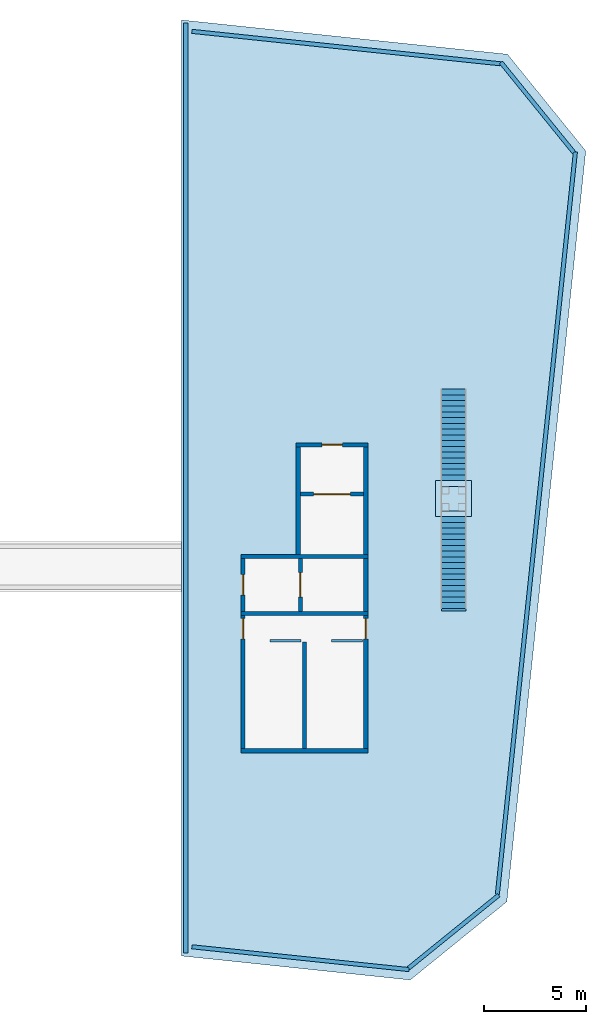
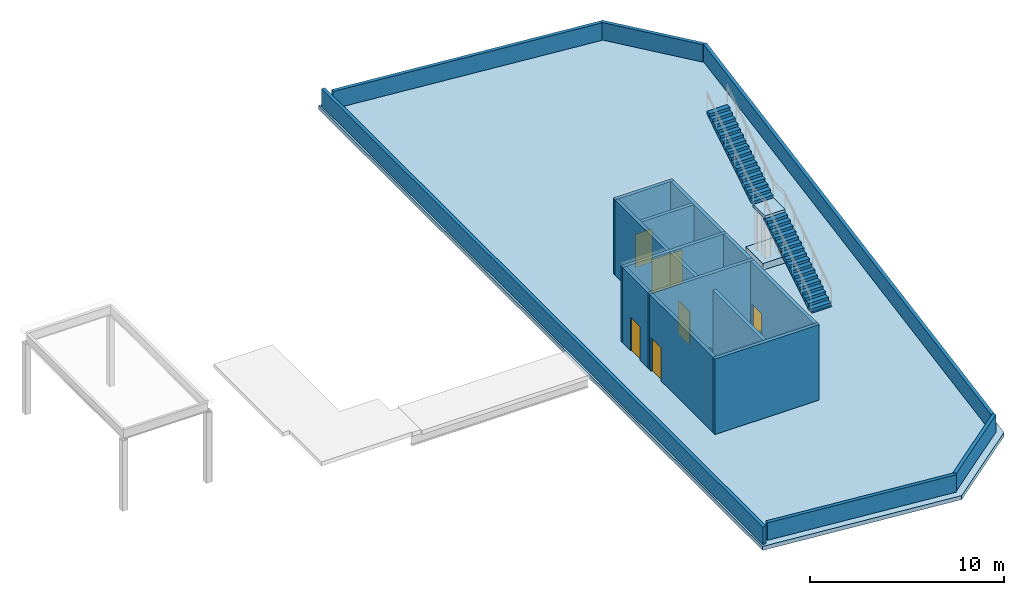
# One storey, part 2 of 3: 21 walls, 6 doors, 3 slabs, 2 stair flights, 6 openings, 1 element without a shape of its own.
"""IFC4 building model written with IfcOpenShell, lengths in metres."""

from ifc_helpers import new_model, si_unit, direction, frame, frame_2d, origin, place, context, subcontext, project, spatial, polyline, rectangle, outline, extrude, material, layer, layer_set, type_object, element, fill, aggregate, save


model = new_model("IFC4")

# Units and contexts
model_context = context("Model", 3, precision=1e-05, world=origin(), true_north=direction((0.0, 1.0)))
body_context = subcontext(model_context, "Body", "Model", "MODEL_VIEW")
ifc_project = project(units=[si_unit("LENGTHUNIT", "METRE"), si_unit("AREAUNIT", "SQUARE_METRE"), si_unit("VOLUMEUNIT", "CUBIC_METRE"), si_unit("PLANEANGLEUNIT", "RADIAN"), si_unit("MASSUNIT", "GRAM", prefix="KILO")], contexts=[model_context])

# Site, building, storey
site_placement = place(None, origin())
site = spatial("IfcSite", under=ifc_project, at=site_placement, CompositionType="ELEMENT")
building_placement = place(site_placement, origin())
building = spatial("IfcBuilding", under=site, at=building_placement, Name="Millrace Tower", CompositionType="ELEMENT")
storey_placement = place(building_placement, frame((0.0, 0.0, 362.10009765625)))
storey = spatial("IfcBuildingStorey", under=building, at=storey_placement, Name="ROOF-1", CompositionType="ELEMENT", Elevation=362.10009765625)

# Slabs
ifc_material_1 = material(Name="Steel ASTM A36", Category="steel")
ifc_layer_1 = layer(ifc_material_1, 0.199951171875)
ifc_layer_set_1 = layer_set([ifc_layer_1], Name="Steel ASTM A36")
slab_type_1 = type_object("IfcSlabType", Name="Antenna deck stair landing", PredefinedType="LANDING", material=ifc_layer_set_1)
slab_1_placement = place(storey_placement, frame((0.0, 0.0, 2.949951171875)))
element("IfcSlab", 1, at=slab_1_placement, inside=storey, type_object=slab_type_1, Name="Antenna deck stair landing", PredefinedType="LANDING", context=body_context, shape_type="SweptSolid", body=[
    extrude(outline(polyline([(17.693115234375, 2.72216796875), (18.89306640625, 2.72216796875), (18.89306640625, 3.922119140625), (17.693115234375, 3.922119140625), (17.693115234375, 2.72216796875)])), origin(), (0.0, 0.0, 1.0), 0.199951171875),
])
ifc_material_2 = material(Name="Concrete C40", Category="concrete")
ifc_layer_2 = layer(ifc_material_2, 0.419921875)
ifc_layer_set_2 = layer_set([ifc_layer_2], Name="Concrete C40")
slab_type_2 = type_object("IfcSlabType", Name="Antenna deck stair plinth 420 mm", PredefinedType="FLOOR", material=ifc_layer_set_2)
placement = place(storey_placement, origin())
element("IfcSlab", 2, at=placement, inside=storey, type_object=slab_type_2, Name="Antenna deck stair plinth", PredefinedType="FLOOR", context=body_context, shape_type="SweptSolid", body=[
    extrude(outline(polyline([(17.4150390625, 2.444091796875), (19.171142578125, 2.444091796875), (19.171142578125, 4.2001953125), (17.4150390625, 4.2001953125), (17.4150390625, 2.444091796875)])), origin(), (0.0, 0.0, 1.0), 0.419921875),
])
ifc_material_3 = material(Name="Concrete C35 on steel deck", Category="concrete")
ifc_layer_3 = layer(ifc_material_3, 0.25)
ifc_layer_set_3 = layer_set([ifc_layer_3], Name="Concrete C35 on steel deck")
slab_type_3 = type_object("IfcSlabType", Name="Composite roof slab 250 mm", PredefinedType="ROOF", material=ifc_layer_set_3)
slab_3_placement = place(storey_placement, frame((0.0, 0.0, -0.25)))
element("IfcSlab", 3, at=slab_3_placement, inside=storey, type_object=slab_type_3, Name="SL-E-L82-RE", PredefinedType="ROOF", context=body_context, shape_type="SweptSolid", body=[
    extrude(outline(polyline([(5.0, 26.720703125), (5.0, -19.02978515625), (16.1708984375, -20.203857421875), (20.896728515625, -16.376953125), (24.75390625, 20.32080078125), (20.927001953125, 25.046875), (5.0, 26.720703125)]), holes=[polyline([(10.800048828125, 0.60009765625), (13.89990234375, 0.60009765625), (13.89990234375, 3.449951171875), (10.800048828125, 3.449951171875), (10.800048828125, 0.60009765625)]), polyline([(10.89990234375, -2.179931640625), (13.89990234375, -2.179931640625), (13.89990234375, 0.39990234375), (10.89990234375, 0.39990234375), (10.89990234375, -2.179931640625)]), polyline([(11.10009765625, -8.89990234375), (13.89990234375, -8.89990234375), (13.89990234375, -3.679931640625), (11.10009765625, -3.679931640625), (11.10009765625, -8.89990234375)]), polyline([(8.10009765625, -8.89990234375), (10.89990234375, -8.89990234375), (10.89990234375, -3.679931640625), (8.10009765625, -3.679931640625), (8.10009765625, -8.89990234375)])]), origin(), (0.0, 0.0, 1.0), 0.25),
])

# Walls
ifc_material_4 = material(Name="Concrete C40", Category="concrete")
ifc_layer_4 = layer(ifc_material_4, 0.199951171875)
ifc_layer_set_4 = layer_set([ifc_layer_4], Name="Concrete C40")
wall_type_1 = type_object("IfcWallType", Name="Roof parapet 1100", PredefinedType="PARAPET", material=ifc_layer_set_4)
wall_1_placement = place(storey_placement, frame((5.199951171875, 26.580810546875, 0.0), z_axis=(0.0, 0.0, 1.0), x_axis=(0.0, -1.0, 0.0)))
element("IfcWall", 4, at=wall_1_placement, inside=storey, type_object=wall_type_1, Name="Slot edge parapet E 1", PredefinedType="PARAPET", context=body_context, shape_type="SweptSolid", body=[
    extrude(rectangle(XDim=45.470703125, YDim=0.199951171875, at=frame_2d((22.7353515625, 0.0))), origin(), (0.0, 0.0, 1.0), 1.099853515625),
])
wall_2_placement = place(storey_placement, frame((5.5, -18.57958984375, 0.0), z_axis=(0.0, 0.0, 1.0), x_axis=(0.994520855833, -0.104538353309, 0.0)))
element("IfcWall", 5, at=wall_2_placement, inside=storey, type_object=wall_type_1, Name="Roof parapet SL-E-L82-RE 1", PredefinedType="PARAPET", context=body_context, shape_type="SweptSolid", body=[
    extrude(rectangle(XDim=10.67529296875, YDim=0.199951171875, at=frame_2d((5.337646484375, 0.0))), origin(), (0.0, 0.0, 1.0), 1.099853515625),
])
wall_3_placement = place(storey_placement, frame((16.094970703125, -19.6220703125, 0.0), z_axis=(0.0, 0.0, 1.0), x_axis=(0.777139517733, 0.629328348303, 0.0)))
element("IfcWall", 6, at=wall_3_placement, inside=storey, type_object=wall_type_1, Name="Roof parapet SL-E-L82-RE 2", PredefinedType="PARAPET", context=body_context, shape_type="SweptSolid", body=[
    extrude(rectangle(XDim=5.6669921875, YDim=0.199951171875, at=frame_2d((2.83349609375, 0.0))), origin(), (0.0, 0.0, 1.0), 1.099853515625),
])
wall_4_placement = place(storey_placement, frame((20.431640625, -16.019287109375, 0.0), z_axis=(0.0, 0.0, 1.0), x_axis=(0.104526297931, 0.994522122952, 0.0)))
element("IfcWall", 7, at=wall_4_placement, inside=storey, type_object=wall_type_1, Name="Roof parapet SL-E-L82-RE 3", PredefinedType="PARAPET", context=body_context, shape_type="SweptSolid", body=[
    extrude(rectangle(XDim=36.48583984375, YDim=0.199951171875, at=frame_2d((18.242919921875, 0.0))), origin(), (0.0, 0.0, 1.0), 1.099853515625),
])
wall_5_placement = place(storey_placement, frame((24.172119140625, 20.244873046875, 0.0), z_axis=(0.0, 0.0, 1.0), x_axis=(-0.629328348303, 0.777139517733, 0.0)))
element("IfcWall", 8, at=wall_5_placement, inside=storey, type_object=wall_type_1, Name="Roof parapet SL-E-L82-RE 4", PredefinedType="PARAPET", context=body_context, shape_type="SweptSolid", body=[
    extrude(rectangle(XDim=5.6669921875, YDim=0.199951171875, at=frame_2d((2.83349609375, 0.0))), origin(), (0.0, 0.0, 1.0), 1.099853515625),
])
wall_6_placement = place(storey_placement, frame((20.5693359375, 24.58154296875, 0.0), z_axis=(0.0, 0.0, 1.0), x_axis=(-0.994520980487, 0.104537167413, 0.0)))
element("IfcWall", 9, at=wall_6_placement, inside=storey, type_object=wall_type_1, Name="Roof parapet SL-E-L82-RE 5", PredefinedType="PARAPET", context=body_context, shape_type="SweptSolid", body=[
    extrude(rectangle(XDim=15.15234375, YDim=0.199951171875, at=frame_2d((7.576171875, 0.0))), origin(), (0.0, 0.0, 1.0), 1.099853515625),
])
ifc_material_5 = material(Name="Concrete C40", Category="concrete")
ifc_layer_5 = layer(ifc_material_5, 0.199951171875)
ifc_layer_set_5 = layer_set([ifc_layer_5], Name="Concrete C40")
wall_type_2 = type_object("IfcWallType", Name="Stair enclosure wall 200 Concrete C40", PredefinedType="SHEAR", material=ifc_layer_set_5)
for number, where, z_axis, x_axis, name in (
    (10, (14.10009765625, -9.0, 0.0), (0.0, 0.0, 1.0), (-1.0, 0.0, 0.0), "Stair head house wall E ROOF-1"),
    (11, (14.10009765625, -2.280029296875, 0.0), (0.0, 0.0, 1.0), (-1.0, 0.0, 0.0), "Stair head house wall E ROOF-1"),
):
    element("IfcWall", number, at=place(storey_placement, frame(where, z_axis=z_axis, x_axis=x_axis)), inside=storey, type_object=wall_type_2, Name=name, PredefinedType="SHEAR", context=body_context, shape_type="SweptSolid", body=[
        extrude(rectangle(XDim=6.2001953125, YDim=0.199951171875, at=frame_2d((3.10009765625, 0.0))), origin(), (0.0, 0.0, 1.0), 4.75),
    ])

# Wall, opening, door
wall_7_placement = place(storey_placement, frame((14.0, -2.3798828125, 0.0), z_axis=(0.0, 0.0, 1.0), x_axis=(0.0, -1.0, 0.0)))
wall_7 = element("IfcWall", 12, at=wall_7_placement, inside=storey, type_object=wall_type_2, Name="Stair head house wall E ROOF-1", PredefinedType="SHEAR", context=body_context, shape_type="SweptSolid", body=[
    extrude(rectangle(XDim=6.52001953125, YDim=0.199951171875, at=frame_2d((3.260009765625, 0.0))), origin(), (0.0, 0.0, 1.0), 4.75),
])
opening_1_placement = place(wall_7_placement, frame((0.14990234375, 0.0, 0.0)))
opening_1 = element("IfcOpeningElement", 13, at=opening_1_placement, cuts=wall_7, Name="Opening R1-C001", PredefinedType="OPENING", context=body_context, shape_type="SweptSolid", body=[
    extrude(rectangle(XDim=1.0, YDim=2.10009765625, at=frame_2d((0.5, 1.050048828125))), frame((0.0, 0.10986328125, 0.0), z_axis=(0.0, -1.0, 0.0), x_axis=(1.0, 0.0, 0.0)), (0.0, 0.0, 1.0), 0.219970703125),
])
ifc_material_6 = material(Name="Steel door, fire-rated", Category="steel")
door_type_1 = type_object("IfcDoorType", Name="Stair door 1000 x 2100", OperationType="SINGLE_SWING_LEFT", PredefinedType="DOOR", material=ifc_material_6)
door_1_placement = place(opening_1_placement, origin())
door_1 = element("IfcDoor", 14, at=door_1_placement, inside=storey, type_object=door_type_1, Name="Stair door R1-C001", OperationType="SINGLE_SWING_LEFT", OverallHeight=2.10009765625, OverallWidth=1.0, PredefinedType="DOOR", context=body_context, shape_type="SweptSolid", body=[
    extrude(rectangle(XDim=1.0, YDim=2.10009765625, at=frame_2d((0.5, 1.050048828125))), frame((0.0, 0.02490234375, 0.0), z_axis=(0.0, -1.0, 0.0), x_axis=(1.0, 0.0, 0.0)), (0.0, 0.0, 1.0), 0.050048828125),
])
fill(opening_1, door_1)

# Wall
wall_8_placement = place(storey_placement, frame((11.0, -3.679931640625, 0.0), z_axis=(0.0, 0.0, 1.0), x_axis=(0.0, -1.0, 0.0)))
element("IfcWall", 15, at=wall_8_placement, inside=storey, type_object=wall_type_2, Name="Stair head house wall E ROOF-1", PredefinedType="SHEAR", context=body_context, shape_type="SweptSolid", body=[
    extrude(rectangle(XDim=5.219970703125, YDim=0.199951171875, at=frame_2d((2.60986328125, 0.0))), origin(), (0.0, 0.0, 1.0), 4.75),
])

# Wall, opening, door
wall_9_placement = place(storey_placement, frame((8.0, -2.3798828125, 0.0), z_axis=(0.0, 0.0, 1.0), x_axis=(0.0, -1.0, 0.0)))
wall_9 = element("IfcWall", 16, at=wall_9_placement, inside=storey, type_object=wall_type_2, Name="Stair head house wall E ROOF-1", PredefinedType="SHEAR", context=body_context, shape_type="SweptSolid", body=[
    extrude(rectangle(XDim=6.52001953125, YDim=0.199951171875, at=frame_2d((3.260009765625, 0.0))), origin(), (0.0, 0.0, 1.0), 4.75),
])
opening_2_placement = place(wall_9_placement, frame((0.14990234375, 0.0, 0.0)))
opening_2 = element("IfcOpeningElement", 17, at=opening_2_placement, cuts=wall_9, Name="Opening R1-C002", PredefinedType="OPENING", context=body_context, shape_type="SweptSolid", body=[
    extrude(rectangle(XDim=1.0, YDim=2.10009765625, at=frame_2d((0.5, 1.050048828125))), frame((0.0, 0.10986328125, 0.0), z_axis=(0.0, -1.0, 0.0), x_axis=(1.0, 0.0, 0.0)), (0.0, 0.0, 1.0), 0.219970703125),
])
door_2_placement = place(opening_2_placement, frame((1.0, 0.0, 0.0), z_axis=(0.0, 0.0, 1.0), x_axis=(-1.0, 0.0, 0.0)))
door_2 = element("IfcDoor", 18, at=door_2_placement, inside=storey, type_object=door_type_1, Name="Stair door R1-C002", OperationType="SINGLE_SWING_RIGHT", OverallHeight=2.10009765625, OverallWidth=1.0, PredefinedType="DOOR", context=body_context, shape_type="SweptSolid", body=[
    extrude(rectangle(XDim=1.0, YDim=2.10009765625, at=frame_2d((0.5, 1.050048828125))), frame((0.0, 0.02490234375, 0.0), z_axis=(0.0, -1.0, 0.0), x_axis=(1.0, 0.0, 0.0)), (0.0, 0.0, 1.0), 0.050048828125),
])
fill(opening_2, door_2)

# Wall
wall_10_placement = place(storey_placement, frame((14.10009765625, 0.5, 0.0), z_axis=(0.0, 0.0, 1.0), x_axis=(-1.0, 0.0, 0.0)))
element("IfcWall", 19, at=wall_10_placement, inside=storey, type_object=wall_type_2, Name="Stair head house wall E ROOF-1", PredefinedType="SHEAR", context=body_context, shape_type="SweptSolid", body=[
    extrude(rectangle(XDim=6.2001953125, YDim=0.199951171875, at=frame_2d((3.10009765625, 0.0))), origin(), (0.0, 0.0, 1.0), 4.75),
])

# Wall, opening, door
wall_11_placement = place(storey_placement, frame((8.0, -2.179931640625, 0.0), z_axis=(0.0, 0.0, 1.0), x_axis=(0.0, 1.0, 0.0)))
wall_11 = element("IfcWall", 20, at=wall_11_placement, inside=storey, type_object=wall_type_2, Name="Stair head house wall E ROOF-1", PredefinedType="SHEAR", context=body_context, shape_type="SweptSolid", body=[
    extrude(rectangle(XDim=2.579833984375, YDim=0.199951171875, at=frame_2d((1.2900390625, 0.0))), origin(), (0.0, 0.0, 1.0), 4.75),
])
opening_3_placement = place(wall_11_placement, frame((0.7900390625, 0.0, 0.0)))
opening_3 = element("IfcOpeningElement", 21, at=opening_3_placement, cuts=wall_11, Name="Opening R1-C003", PredefinedType="OPENING", context=body_context, shape_type="SweptSolid", body=[
    extrude(rectangle(XDim=1.0, YDim=2.10009765625, at=frame_2d((0.5, 1.050048828125))), frame((0.0, 0.10986328125, 0.0), z_axis=(0.0, -1.0, 0.0), x_axis=(1.0, 0.0, 0.0)), (0.0, 0.0, 1.0), 0.219970703125),
])
ifc_material_7 = material(Name="Steel door, fire-rated", Category="steel")
door_type_2 = type_object("IfcDoorType", Name="Lobby door 1000 x 2100", OperationType="SINGLE_SWING_LEFT", PredefinedType="DOOR", material=ifc_material_7)
door_3_placement = place(opening_3_placement, origin())
door_3 = element("IfcDoor", 22, at=door_3_placement, inside=storey, type_object=door_type_2, Name="Lobby door R1-C003", OperationType="SINGLE_SWING_RIGHT", OverallHeight=2.10009765625, OverallWidth=1.0, PredefinedType="DOOR", context=body_context, shape_type="SweptSolid", body=[
    extrude(rectangle(XDim=1.0, YDim=2.10009765625, at=frame_2d((0.5, 1.050048828125))), frame((0.0, 0.02490234375, 0.0), z_axis=(0.0, -1.0, 0.0), x_axis=(1.0, 0.0, 0.0)), (0.0, 0.0, 1.0), 0.050048828125),
])
fill(opening_3, door_3)

wall_12_placement = place(storey_placement, frame((10.800048828125, -2.179931640625, 0.0), z_axis=(0.0, 0.0, 1.0), x_axis=(0.0, 1.0, 0.0)))
wall_12 = element("IfcWall", 23, at=wall_12_placement, inside=storey, type_object=wall_type_2, Name="Stair head house wall E ROOF-1", PredefinedType="SHEAR", context=body_context, shape_type="SweptSolid", body=[
    extrude(rectangle(XDim=2.579833984375, YDim=0.199951171875, at=frame_2d((1.2900390625, 0.0))), origin(), (0.0, 0.0, 1.0), 4.75),
])
opening_4_placement = place(wall_12_placement, frame((0.68994140625, 0.0, 0.0)))
opening_4 = element("IfcOpeningElement", 24, at=opening_4_placement, cuts=wall_12, Name="Opening R1-LD16", PredefinedType="OPENING", context=body_context, shape_type="SweptSolid", body=[
    extrude(rectangle(XDim=1.199951171875, YDim=2.10009765625, at=frame_2d((0.60009765625, 1.050048828125))), frame((0.0, 0.10986328125, 0.0), z_axis=(0.0, -1.0, 0.0), x_axis=(1.0, 0.0, 0.0)), (0.0, 0.0, 1.0), 0.219970703125),
])
ifc_material_8 = material(Name="Stainless steel, fire-rated", Category="steel")
door_type_3 = type_object("IfcDoorType", Name="Lift landing door 1200 x 2100", OperationType="DOUBLE_DOOR_SLIDING", PredefinedType="DOOR", material=ifc_material_8)
door_4_placement = place(opening_4_placement, origin())
door_4 = element("IfcDoor", 25, at=door_4_placement, inside=storey, type_object=door_type_3, Name="Lift landing door LF16 ROOF-1", OperationType="DOUBLE_DOOR_SLIDING", OverallHeight=2.10009765625, OverallWidth=1.199951171875, PredefinedType="DOOR", context=body_context, shape_type="SweptSolid", body=[
    extrude(rectangle(XDim=1.199951171875, YDim=2.10009765625, at=frame_2d((0.60009765625, 1.050048828125))), frame((0.0, 0.02490234375, 0.0), z_axis=(0.0, -1.0, 0.0), x_axis=(1.0, 0.0, 0.0)), (0.0, 0.0, 1.0), 0.050048828125),
])
fill(opening_4, door_4)

# Walls
wall_13_placement = place(storey_placement, frame((14.0, -2.179931640625, 0.0), z_axis=(0.0, 0.0, 1.0), x_axis=(0.0, 1.0, 0.0)))
element("IfcWall", 26, at=wall_13_placement, inside=storey, type_object=wall_type_2, Name="Stair head house wall E ROOF-1", PredefinedType="SHEAR", context=body_context, shape_type="SweptSolid", body=[
    extrude(rectangle(XDim=2.579833984375, YDim=0.199951171875, at=frame_2d((1.2900390625, 0.0))), origin(), (0.0, 0.0, 1.0), 4.75),
])
for number, where, z_axis, x_axis, name in (
    (27, (10.699951171875, 0.60009765625, 0.0), (0.0, 0.0, 1.0), (0.0, 1.0, 0.0), "Lift head house wall E ROOF-1"),
    (28, (14.0, 0.60009765625, 0.0), (0.0, 0.0, 1.0), (0.0, 1.0, 0.0), "Lift head house wall E ROOF-1"),
):
    element("IfcWall", number, at=place(storey_placement, frame(where, z_axis=z_axis, x_axis=x_axis)), inside=storey, type_object=wall_type_2, Name=name, PredefinedType="SHEAR", context=body_context, shape_type="SweptSolid", body=[
        extrude(rectangle(XDim=5.25, YDim=0.199951171875, at=frame_2d((2.625, 0.0))), origin(), (0.0, 0.0, 1.0), 4.75),
    ])

# Wall, opening, door
wall_14_placement = place(storey_placement, frame((13.89990234375, 3.550048828125, 0.0), z_axis=(0.0, 0.0, 1.0), x_axis=(-1.0, 0.0, 0.0)))
wall_14 = element("IfcWall", 29, at=wall_14_placement, inside=storey, type_object=wall_type_2, Name="Lift head house wall E ROOF-1", PredefinedType="SHEAR", context=body_context, shape_type="SweptSolid", body=[
    extrude(rectangle(XDim=3.099853515625, YDim=0.199951171875, at=frame_2d((1.5498046875, 0.0))), origin(), (0.0, 0.0, 1.0), 4.75),
])
opening_5_placement = place(wall_14_placement, frame((0.64990234375, 0.0, 0.0)))
opening_5 = element("IfcOpeningElement", 30, at=opening_5_placement, cuts=wall_14, Name="Opening R1-LD13", PredefinedType="OPENING", context=body_context, shape_type="SweptSolid", body=[
    extrude(rectangle(XDim=1.800048828125, YDim=2.10009765625, at=frame_2d((0.89990234375, 1.050048828125))), frame((0.0, 0.10986328125, 0.0), z_axis=(0.0, -1.0, 0.0), x_axis=(1.0, 0.0, 0.0)), (0.0, 0.0, 1.0), 0.219970703125),
])
ifc_material_9 = material(Name="Stainless steel, fire-rated", Category="steel")
door_type_4 = type_object("IfcDoorType", Name="Lift landing door 1800 x 2100", OperationType="DOUBLE_DOOR_SLIDING", PredefinedType="DOOR", material=ifc_material_9)
door_5_placement = place(opening_5_placement, frame((1.800048828125, 0.0, 0.0), z_axis=(0.0, 0.0, 1.0), x_axis=(-1.0, 0.0, 0.0)))
door_5 = element("IfcDoor", 31, at=door_5_placement, inside=storey, type_object=door_type_4, Name="Lift landing door LF13 ROOF-1", OperationType="DOUBLE_DOOR_SLIDING", OverallHeight=2.10009765625, OverallWidth=1.800048828125, PredefinedType="DOOR", context=body_context, shape_type="SweptSolid", body=[
    extrude(rectangle(XDim=1.800048828125, YDim=2.10009765625, at=frame_2d((0.89990234375, 1.050048828125))), frame((0.0, 0.02490234375, 0.0), z_axis=(0.0, -1.0, 0.0), x_axis=(1.0, 0.0, 0.0)), (0.0, 0.0, 1.0), 0.050048828125),
])
fill(opening_5, door_5)

wall_15_placement = place(storey_placement, frame((14.10009765625, 5.949951171875, 0.0), z_axis=(0.0, 0.0, 1.0), x_axis=(-1.0, 0.0, 0.0)))
wall_15 = element("IfcWall", 32, at=wall_15_placement, inside=storey, type_object=wall_type_2, Name="Lift head house wall E ROOF-1", PredefinedType="SHEAR", context=body_context, shape_type="SweptSolid", body=[
    extrude(rectangle(XDim=3.5, YDim=0.199951171875, at=frame_2d((1.75, 0.0))), origin(), (0.0, 0.0, 1.0), 4.75),
])
opening_6_placement = place(wall_15_placement, frame((1.25, 0.0, 0.0)))
opening_6 = element("IfcOpeningElement", 33, at=opening_6_placement, cuts=wall_15, Name="Opening R1-C004", PredefinedType="OPENING", context=body_context, shape_type="SweptSolid", body=[
    extrude(rectangle(XDim=1.0, YDim=2.10009765625, at=frame_2d((0.5, 1.050048828125))), frame((0.0, 0.10986328125, 0.0), z_axis=(0.0, -1.0, 0.0), x_axis=(1.0, 0.0, 0.0)), (0.0, 0.0, 1.0), 0.219970703125),
])
door_6_placement = place(opening_6_placement, frame((1.0, 0.0, 0.0), z_axis=(0.0, 0.0, 1.0), x_axis=(-1.0, 0.0, 0.0)))
door_6 = element("IfcDoor", 34, at=door_6_placement, inside=storey, type_object=door_type_2, Name="Lobby door R1-C004", OperationType="SINGLE_SWING_LEFT", OverallHeight=2.10009765625, OverallWidth=1.0, PredefinedType="DOOR", context=body_context, shape_type="SweptSolid", body=[
    extrude(rectangle(XDim=1.0, YDim=2.10009765625, at=frame_2d((0.5, 1.050048828125))), frame((0.0, 0.02490234375, 0.0), z_axis=(0.0, -1.0, 0.0), x_axis=(1.0, 0.0, 0.0)), (0.0, 0.0, 1.0), 0.050048828125),
])
fill(opening_6, door_6)

# Walls
ifc_material_10 = material(Name="Concrete C40", Category="concrete")
ifc_layer_6 = layer(ifc_material_10, 0.1201171875)
ifc_layer_set_6 = layer_set([ifc_layer_6], Name="Concrete C40")
wall_type_3 = type_object("IfcWallType", Name="Stair well parapet 120 Concrete C40", PredefinedType="SHEAR", material=ifc_layer_set_6)
for number, where, z_axis, x_axis, name in (
    (35, (13.840087890625, -3.6201171875, 0.0), (0.0, 0.0, 1.0), (-1.0, 0.0, 0.0), "Stair well parapet E ROOF-1"),
    (36, (10.840087890625, -3.6201171875, 0.0), (0.0, 0.0, 1.0), (-1.0, 0.0, 0.0), "Stair well parapet E ROOF-1"),
):
    element("IfcWall", number, at=place(storey_placement, frame(where, z_axis=z_axis, x_axis=x_axis)), inside=storey, type_object=wall_type_3, Name=name, PredefinedType="SHEAR", context=body_context, shape_type="SweptSolid", body=[
        extrude(rectangle(XDim=1.52001953125, YDim=0.1201171875, at=frame_2d((0.760009765625, 0.0))), origin(), (0.0, 0.0, 1.0), 1.099853515625),
    ])

# Stair, stair flights
ifc_material_11 = material(Name="Steel ASTM A36", Category="steel")
stair_type = type_object("IfcStairType", Name="Antenna deck access stair", PredefinedType="TWO_STRAIGHT_RUN_STAIR", material=ifc_material_11)
stair = element("IfcStair", 37, at=placement, inside=storey, type_object=stair_type, Name="Antenna deck access stair", PredefinedType="TWO_STRAIGHT_RUN_STAIR")
ifc_material_12 = material(Name="Steel ASTM A36", Category="steel")
stair_flight_type = type_object("IfcStairFlightType", Name="Antenna deck stair flight", PredefinedType="STRAIGHT", material=ifc_material_12)
stair_flight_1_placement = place(storey_placement, frame((18.293212890625, -2.037841796875, 0.0), z_axis=(0.0, 0.0, 1.0), x_axis=(0.0, 1.0, 0.0)))
stair_flight_1 = element("IfcStairFlight", 38, at=stair_flight_1_placement, type_object=stair_flight_type, Name="PS1 flight 1", NumberOfRisers=18, NumberOfTreads=17, PredefinedType="STRAIGHT", RiserHeight=0.175, TreadLength=0.28, context=body_context, shape_type="SweptSolid", body=[
    extrude(outline(polyline([(-0.1201171875, -0.0400390625), (-0.1201171875, 0.0), (0.0, 0.0), (0.0, 0.175048828125), (0.280029296875, 0.175048828125), (0.280029296875, 0.35009765625), (0.56005859375, 0.35009765625), (0.56005859375, 0.52490234375), (0.840087890625, 0.52490234375), (0.840087890625, 0.699951171875), (1.1201171875, 0.699951171875), (1.1201171875, 0.875), (1.39990234375, 0.875), (1.39990234375, 1.050048828125), (1.679931640625, 1.050048828125), (1.679931640625, 1.22509765625), (1.9599609375, 1.22509765625), (1.9599609375, 1.39990234375), (2.239990234375, 1.39990234375), (2.239990234375, 1.574951171875), (2.52001953125, 1.574951171875), (2.52001953125, 1.75), (2.800048828125, 1.75), (2.800048828125, 1.925048828125), (3.080078125, 1.925048828125), (3.080078125, 2.10009765625), (3.360107421875, 2.10009765625), (3.360107421875, 2.27490234375), (3.639892578125, 2.27490234375), (3.639892578125, 2.449951171875), (3.919921875, 2.449951171875), (3.919921875, 2.625), (4.199951171875, 2.625), (4.199951171875, 2.800048828125), (4.47998046875, 2.800048828125), (4.47998046875, 2.97509765625), (4.760009765625, 2.97509765625), (4.760009765625, 2.9951171875), (4.8798828125, 2.9951171875), (4.8798828125, 2.79833984375), (4.760009765625, 2.79833984375), (0.28271484375, 0.0), (0.28271484375, -0.0400390625), (-0.1201171875, -0.0400390625)])), frame((0.0, 0.60009765625, 0.0), z_axis=(0.0, -1.0, 0.0), x_axis=(1.0, 0.0, 0.0)), (0.0, 0.0, 1.0), 1.199951171875),
])
stair_flight_2_placement = place(storey_placement, frame((18.293212890625, 3.922119140625, 3.14990234375), z_axis=(0.0, 0.0, 1.0), x_axis=(0.0, 1.0, 0.0)))
stair_flight_2 = element("IfcStairFlight", 39, at=stair_flight_2_placement, type_object=stair_flight_type, Name="PS1 flight 2", NumberOfRisers=18, NumberOfTreads=17, PredefinedType="STRAIGHT", RiserHeight=0.175, TreadLength=0.28, context=body_context, shape_type="SweptSolid", body=[
    extrude(outline(polyline([(-0.1201171875, -0.0400390625), (-0.1201171875, 0.0), (0.0, 0.0), (0.0, 0.175048828125), (0.280029296875, 0.175048828125), (0.280029296875, 0.35009765625), (0.56005859375, 0.35009765625), (0.56005859375, 0.52490234375), (0.840087890625, 0.52490234375), (0.840087890625, 0.699951171875), (1.1201171875, 0.699951171875), (1.1201171875, 0.875), (1.39990234375, 0.875), (1.39990234375, 1.050048828125), (1.679931640625, 1.050048828125), (1.679931640625, 1.22509765625), (1.9599609375, 1.22509765625), (1.9599609375, 1.39990234375), (2.239990234375, 1.39990234375), (2.239990234375, 1.574951171875), (2.52001953125, 1.574951171875), (2.52001953125, 1.75), (2.800048828125, 1.75), (2.800048828125, 1.925048828125), (3.080078125, 1.925048828125), (3.080078125, 2.10009765625), (3.360107421875, 2.10009765625), (3.360107421875, 2.27490234375), (3.639892578125, 2.27490234375), (3.639892578125, 2.449951171875), (3.919921875, 2.449951171875), (3.919921875, 2.625), (4.199951171875, 2.625), (4.199951171875, 2.800048828125), (4.47998046875, 2.800048828125), (4.47998046875, 2.97509765625), (4.760009765625, 2.97509765625), (4.760009765625, 2.9951171875), (4.760009765625, 2.79833984375), (4.760009765625, 2.79833984375), (0.28271484375, 0.0), (0.28271484375, -0.0400390625), (-0.1201171875, -0.0400390625)])), frame((0.0, 0.60009765625, 0.0), z_axis=(0.0, -1.0, 0.0), x_axis=(1.0, 0.0, 0.0)), (0.0, 0.0, 1.0), 1.199951171875),
])
aggregate(stair, [stair_flight_1, stair_flight_2])

save(model, "model.ifc")
